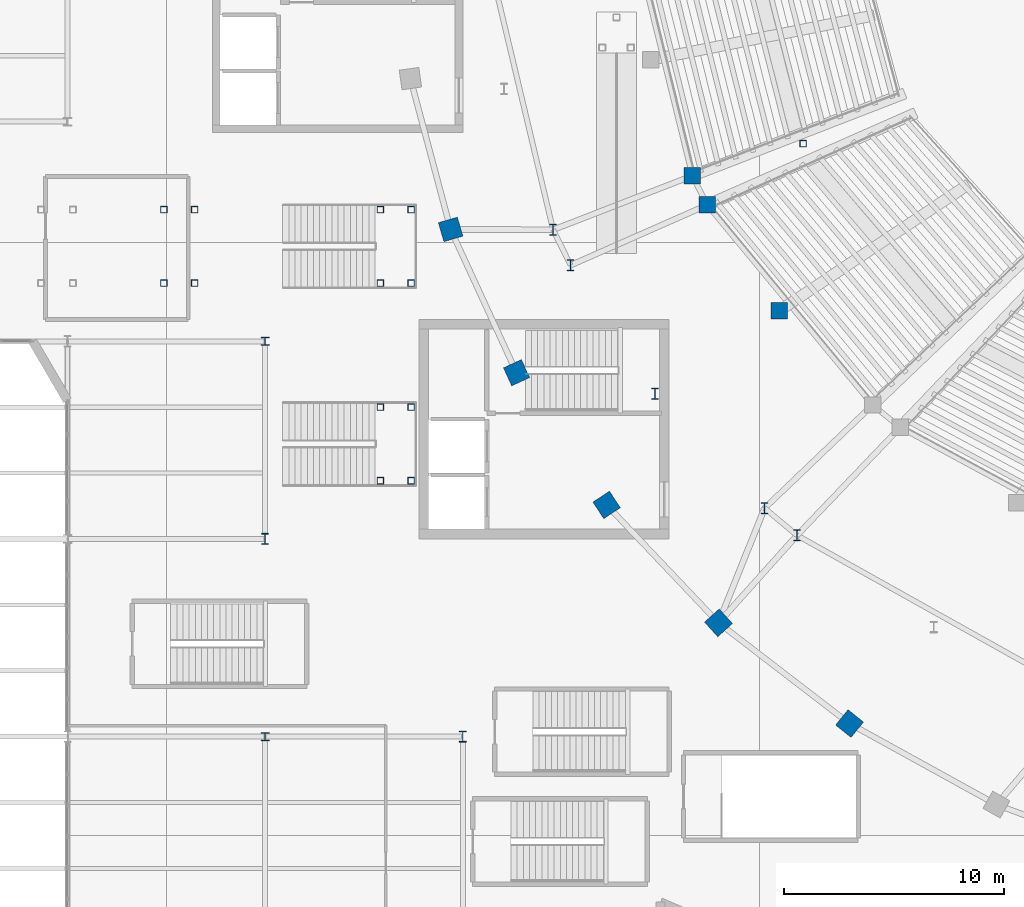
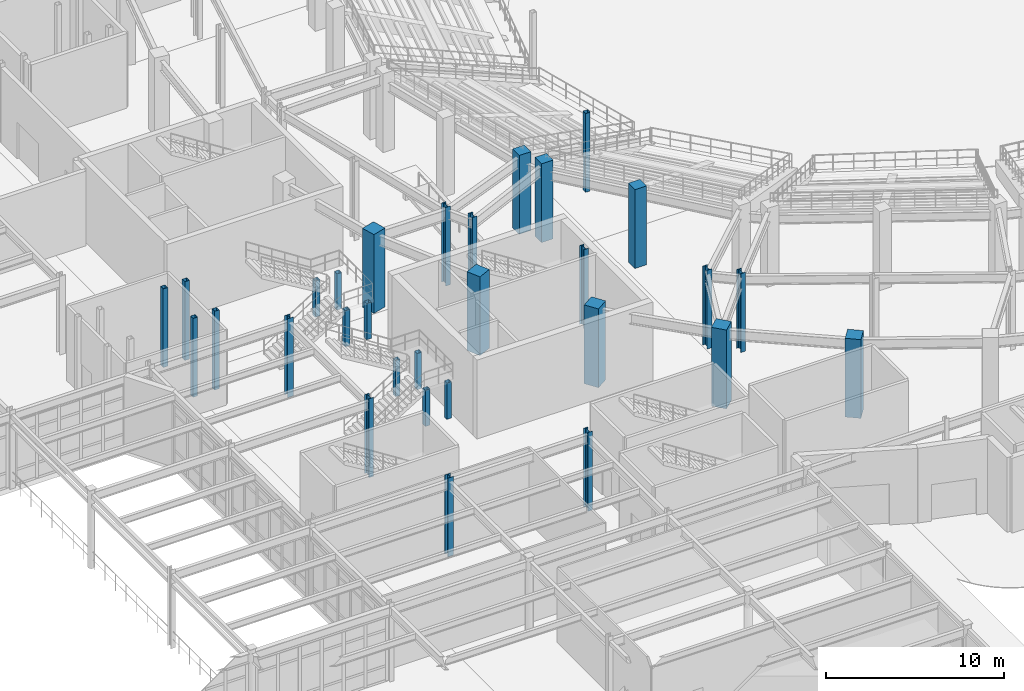
# One storey, part 4 of 79: 30 columns.
"""IFC4 building model written with IfcOpenShell, lengths in metres."""

from ifc_helpers import new_model, si_unit, direction, frame, origin, origin_2d, place, context, subcontext, project, spatial, rectangle, hollow_rectangle, i_section, extrude, material, material_profile, profile_set, type_object, element, save


model = new_model("IFC4")

# Units and contexts
model_context = context("Model", 3, precision=1e-05, world=origin(), true_north=direction((0.0, 1.0)))
body_context = subcontext(model_context, "Body", "Model", "MODEL_VIEW")
ifc_project = project(units=[si_unit("LENGTHUNIT", "METRE"), si_unit("AREAUNIT", "SQUARE_METRE"), si_unit("VOLUMEUNIT", "CUBIC_METRE"), si_unit("PLANEANGLEUNIT", "RADIAN"), si_unit("MASSUNIT", "GRAM", prefix="KILO")], contexts=[model_context])

# Site, building, storey
site_placement = place(None, origin())
site = spatial("IfcSite", under=ifc_project, at=site_placement, CompositionType="ELEMENT")
building_placement = place(site_placement, origin())
building = spatial("IfcBuilding", under=site, at=building_placement, Name="Glasvene Arena", CompositionType="ELEMENT")
storey_placement = place(building_placement, origin())
storey = spatial("IfcBuildingStorey", under=building, at=storey_placement, Name="L00", CompositionType="ELEMENT", Elevation=0.0)

# Columns
ifc_material_1 = material(Name="Concrete C40/50", Category="concrete")
ifc_material_profile_1 = material_profile(ifc_material_1, rectangle(XDim=0.89990234375, YDim=0.89990234375, at=origin_2d()), Name="RC 900x900")
ifc_profile_set_1 = profile_set([ifc_material_profile_1], Name="Concrete C40/50")
column_type_1 = type_object("IfcColumnType", Name="COL-BOWL-RC900", PredefinedType="COLUMN", material=ifc_profile_set_1)
for number, where, z_axis, x_axis, name in (
    (1, (44.447265625, 59.09423828125, 0.0), (0.0, 0.0, 1.0), (-0.959805291975, -0.280666708921, 0.0), "Bowl ring column R23 L00"),
    (2, (47.44970703125, 52.5703125, 0.0), (0.0, 0.0, 1.0), (-0.909018020308, -0.416756810089, 0.0), "Bowl ring column R24 L00"),
    (3, (51.54931640625, 46.5498046875, 0.0), (0.0, 0.0, 1.0), (-0.836955398099, -0.547271104292, 0.0), "Bowl ring column R25 L00"),
    (4, (56.644775390625, 41.18017578125, 0.0), (0.0, 0.0, 1.0), (-0.74326159948, -0.669000892928, 0.0), "Bowl ring column R26 L00"),
    (5, (62.610595703125, 36.59423828125, 0.0), (0.0, 0.0, 1.0), (-0.628098877137, -0.778133536444, 0.0), "Bowl ring column R27 L00"),
):
    element("IfcColumn", number, at=place(storey_placement, frame(where, z_axis=z_axis, x_axis=x_axis)), inside=storey, type_object=column_type_1, Name=name, PredefinedType="COLUMN", context=body_context, shape_type="SweptSolid", body=[
        extrude(rectangle(XDim=0.89990234375, YDim=0.89990234375, at=origin_2d()), origin(), (0.0, 0.0, 1.0), 5.39990234375),
    ])
ifc_material_profile_2 = material_profile(ifc_material_1, rectangle(XDim=0.75, YDim=0.75, at=origin_2d()), Name="RC 750x750")
ifc_profile_set_2 = profile_set([ifc_material_profile_2], Name="Concrete C40/50")
column_type_2 = type_object("IfcColumnType", Name="COL-MID-RC750", PredefinedType="COLUMN", material=ifc_profile_set_2)
for number, where, z_axis, x_axis, name in (
    (6, (55.452880859375, 61.53662109375, 0.0), (0.0, 0.0, 1.0), (1.0, 0.0, 0.0), "Mid-bowl fulcrum column L00 09-2"),
    (7, (56.133544921875, 60.20751953125, 0.0), (0.0, 0.0, 1.0), (1.0, 0.0, 0.0), "Mid-bowl fulcrum column L00 10-1"),
    (8, (59.406494140625, 55.388427734375, 0.0), (0.0, 0.0, 1.0), (1.0, 0.0, 0.0), "Mid-sector fulcrum column L00 10"),
):
    element("IfcColumn", number, at=place(storey_placement, frame(where, z_axis=z_axis, x_axis=x_axis)), inside=storey, type_object=column_type_2, Name=name, PredefinedType="COLUMN", context=body_context, shape_type="SweptSolid", body=[
        extrude(rectangle(XDim=0.75, YDim=0.75, at=origin_2d()), origin(), (0.0, 0.0, 1.0), 5.39990234375),
    ])
ifc_material_2 = material(Name="Steel S355J2", Category="steel")
ifc_material_profile_3 = material_profile(ifc_material_2, i_section(OverallWidth=0.300048828125, OverallDepth=0.5, WebThickness=0.014404296875, FlangeThickness=0.028076171875, FilletRadius=0.027099609375, at=origin_2d()), Name="HEB 500")
ifc_profile_set_3 = profile_set([ifc_material_profile_3], Name="Steel S355J2")
column_type_3 = type_object("IfcColumnType", Name="COL-W-HEB500", PredefinedType="COLUMN", material=ifc_profile_set_3)
for number, where, z_axis, x_axis, name in (
    (9, (49.113037109375, 59.077392578125, 0.0), (0.0, 0.0, 1.0), (1.0, 0.0, 0.0), "Upper raker rear column L00 09-2"),
    (10, (49.911865234375, 57.46337890625, 0.0), (0.0, 0.0, 1.0), (1.0, 0.0, 0.0), "Upper raker rear column L00 10-1"),
    (11, (58.743408203125, 46.40087890625, 0.0), (0.0, 0.0, 1.0), (1.0, 0.0, 0.0), "Upper raker rear column L00 10-2"),
    (12, (60.219482421875, 45.165771484375, 0.0), (0.0, 0.0, 1.0), (1.0, 0.0, 0.0), "Upper raker rear column L00 11-1"),
    (13, (36.0, 45.0, 0.0), (0.0, 0.0, 1.0), (1.0, 0.0, 0.0), "Grid column 5-6 L00"),
    (14, (45.0, 36.0, 0.0), (0.0, 0.0, 1.0), (1.0, 0.0, 0.0), "Grid column 6-5 L00"),
    (15, (53.75244140625, 51.610595703125, 0.0), (0.0, 0.0, 1.0), (1.0, 0.0, 0.0), "Mid-sector rear raker column L00 10"),
):
    element("IfcColumn", number, at=place(storey_placement, frame(where, z_axis=z_axis, x_axis=x_axis)), inside=storey, type_object=column_type_3, Name=name, PredefinedType="COLUMN", context=body_context, shape_type="SweptSolid", body=[
        extrude(i_section(OverallWidth=0.300048828125, OverallDepth=0.5, WebThickness=0.014404296875, FlangeThickness=0.028076171875, FilletRadius=0.027099609375, at=origin_2d()), origin(), (0.0, 0.0, 1.0), 5.39990234375),
    ])
ifc_material_profile_4 = material_profile(ifc_material_2, hollow_rectangle(XDim=0.300048828125, YDim=0.300048828125, WallThickness=0.012451171875, at=origin_2d()), Name="SHS 300x300x12.5")
ifc_profile_set_4 = profile_set([ifc_material_profile_4], Name="Steel S355J2")
column_type_4 = type_object("IfcColumnType", Name="COL-W-SHS300", PredefinedType="COLUMN", material=ifc_profile_set_4)
column_placement = place(storey_placement, frame((60.5, 63.0, 0.0), z_axis=(0.0, 0.0, 1.0), x_axis=(1.0, 0.0, 0.0)))
element("IfcColumn", 16, at=column_placement, inside=storey, type_object=column_type_4, Name="Sector 3-3 support column L00-1", PredefinedType="COLUMN", context=body_context, shape_type="SweptSolid", body=[
    extrude(hollow_rectangle(XDim=0.300048828125, YDim=0.300048828125, WallThickness=0.012451171875, at=origin_2d()), origin(), (0.0, 0.0, 1.0), 5.39990234375),
])
for number, where, z_axis, x_axis, name in (
    (17, (41.25, 47.64990234375, 0.0), (0.0, 0.0, 1.0), (1.0, 0.0, 0.0), "Vomitory landing column VOM-01 L00"),
    (18, (41.25, 51.0, 0.0), (0.0, 0.0, 1.0), (1.0, 0.0, 0.0), "Vomitory landing column VOM-01 L00"),
    (19, (42.64990234375, 47.64990234375, 0.0), (0.0, 0.0, 1.0), (1.0, 0.0, 0.0), "Vomitory landing column VOM-01 L00"),
    (20, (42.64990234375, 51.0, 0.0), (0.0, 0.0, 1.0), (1.0, 0.0, 0.0), "Vomitory landing column VOM-01 L00"),
    (21, (41.25, 56.64990234375, 0.0), (0.0, 0.0, 1.0), (1.0, 0.0, 0.0), "Vomitory landing column VOM-03 L00"),
    (22, (41.25, 60.0, 0.0), (0.0, 0.0, 1.0), (1.0, 0.0, 0.0), "Vomitory landing column VOM-03 L00"),
    (23, (42.64990234375, 56.64990234375, 0.0), (0.0, 0.0, 1.0), (1.0, 0.0, 0.0), "Vomitory landing column VOM-03 L00"),
    (24, (42.64990234375, 60.0, 0.0), (0.0, 0.0, 1.0), (1.0, 0.0, 0.0), "Vomitory landing column VOM-03 L00"),
):
    element("IfcColumn", number, at=place(storey_placement, frame(where, z_axis=z_axis, x_axis=x_axis)), inside=storey, type_object=column_type_4, Name=name, PredefinedType="COLUMN", context=body_context, shape_type="SweptSolid", body=[
        extrude(hollow_rectangle(XDim=0.300048828125, YDim=0.300048828125, WallThickness=0.012451171875, at=origin_2d()), origin(), (0.0, 0.0, 1.0), 2.47998046875),
    ])
for number, where, z_axis, x_axis, name in (
    (25, (31.389892578125, 56.64990234375, 0.0), (0.0, 0.0, 1.0), (1.0, 0.0, 0.0), "Vomitory landing column VOM-05 L00"),
    (26, (31.389892578125, 60.0, 0.0), (0.0, 0.0, 1.0), (1.0, 0.0, 0.0), "Vomitory landing column VOM-05 L00"),
    (27, (32.7900390625, 56.64990234375, 0.0), (0.0, 0.0, 1.0), (1.0, 0.0, 0.0), "Vomitory landing column VOM-05 L00"),
    (28, (32.7900390625, 60.0, 0.0), (0.0, 0.0, 1.0), (1.0, 0.0, 0.0), "Vomitory landing column VOM-05 L00"),
):
    element("IfcColumn", number, at=place(storey_placement, frame(where, z_axis=z_axis, x_axis=x_axis)), inside=storey, type_object=column_type_4, Name=name, PredefinedType="COLUMN", context=body_context, shape_type="SweptSolid", body=[
        extrude(hollow_rectangle(XDim=0.300048828125, YDim=0.300048828125, WallThickness=0.012451171875, at=origin_2d()), origin(), (0.0, 0.0, 1.0), 5.39990234375),
    ])
ifc_material_profile_5 = material_profile(ifc_material_2, i_section(OverallWidth=0.37255859375, OverallDepth=0.3681640625, WebThickness=0.014404296875, FlangeThickness=0.023681640625, FilletRadius=0.01513671875, at=origin_2d()), Name="UKC 356x368x177")
ifc_profile_set_5 = profile_set([ifc_material_profile_5], Name="Steel S355J2")
column_type_5 = type_object("IfcColumnType", Name="COL-W-UKC177", PredefinedType="COLUMN", material=ifc_profile_set_5)
for number, where, z_axis, x_axis, name in (
    (29, (36.0, 36.0, 0.0), (0.0, 0.0, 1.0), (1.0, 0.0, 0.0), "Grid column 5-5 L00"),
    (30, (36.0, 54.0, 0.0), (0.0, 0.0, 1.0), (1.0, 0.0, 0.0), "Grid column 5-7 L00"),
):
    element("IfcColumn", number, at=place(storey_placement, frame(where, z_axis=z_axis, x_axis=x_axis)), inside=storey, type_object=column_type_5, Name=name, PredefinedType="COLUMN", context=body_context, shape_type="SweptSolid", body=[
        extrude(i_section(OverallWidth=0.37255859375, OverallDepth=0.3681640625, WebThickness=0.014404296875, FlangeThickness=0.023681640625, FilletRadius=0.01513671875, at=origin_2d()), origin(), (0.0, 0.0, 1.0), 5.39990234375),
    ])

save(model, "model.ifc")
